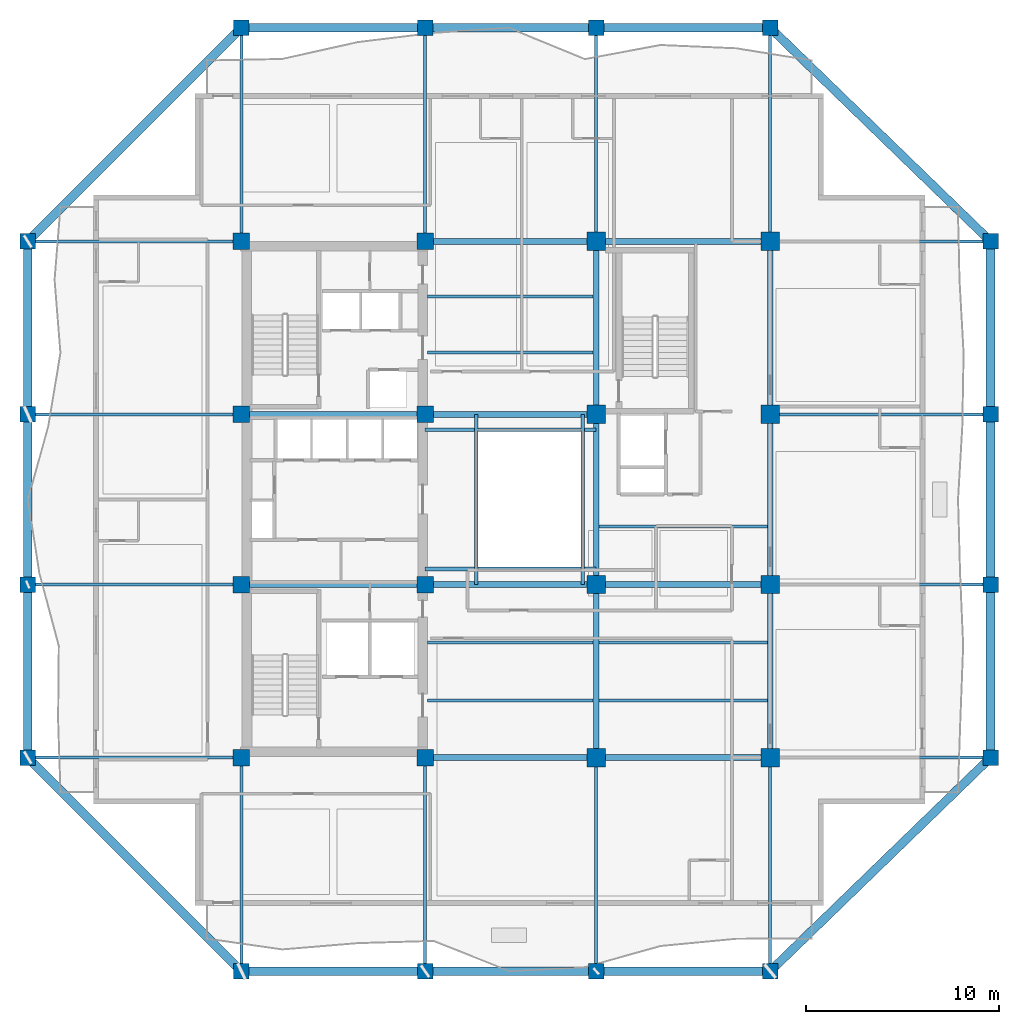
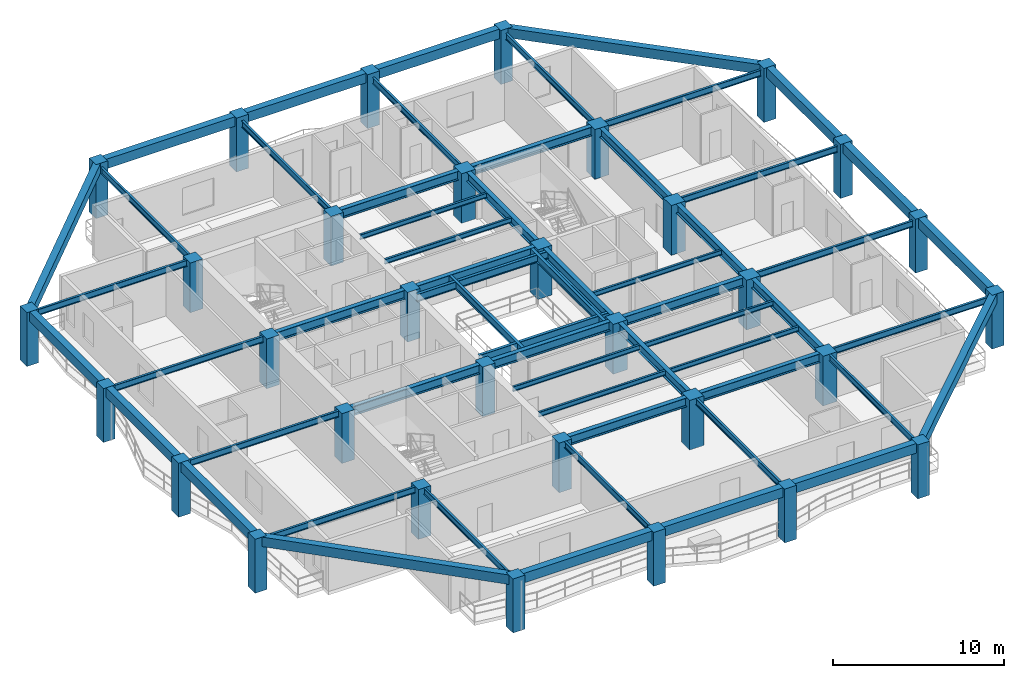
# One storey, part 1 of 12: 58 beams, 32 columns.
"""IFC4 building model written with IfcOpenShell, lengths in metres."""

from ifc_helpers import new_model, si_unit, direction, frame, origin, origin_2d, place, context, subcontext, project, spatial, rectangle, i_section, extrude, material, material_profile, profile_set, type_object, element, save


model = new_model("IFC4")

# Units and contexts
model_context = context("Model", 3, precision=1e-05, world=origin(), true_north=direction((0.0, 1.0)))
body_context = subcontext(model_context, "Body", "Model", "MODEL_VIEW")
ifc_project = project(units=[si_unit("LENGTHUNIT", "METRE"), si_unit("AREAUNIT", "SQUARE_METRE"), si_unit("VOLUMEUNIT", "CUBIC_METRE"), si_unit("PLANEANGLEUNIT", "RADIAN"), si_unit("MASSUNIT", "GRAM", prefix="KILO")], contexts=[model_context])

# Site, building, storey
site_placement = place(None, origin())
site = spatial("IfcSite", under=ifc_project, at=site_placement, CompositionType="ELEMENT")
building_placement = place(site_placement, origin())
building = spatial("IfcBuilding", under=site, at=building_placement, Name="Kundavana Baori Tower", CompositionType="ELEMENT")
storey_placement = place(building_placement, frame((0.0, 0.0, 200.25)))
storey = spatial("IfcBuildingStorey", under=building, at=storey_placement, Name="L49", CompositionType="ELEMENT", Elevation=200.25)

# Columns
ifc_material_1 = material(Name="Concrete C50/60", Category="concrete")
ifc_material_profile_1 = material_profile(ifc_material_1, rectangle(XDim=0.800048828125, YDim=0.800048828125, at=origin_2d()), Name="RC PF 800x800")
ifc_profile_set_1 = profile_set([ifc_material_profile_1], Name="Concrete C50/60")
column_type_1 = type_object("IfcColumnType", Name="COL-PF-800", PredefinedType="COLUMN", material=ifc_profile_set_1)
for number, where, z_axis, x_axis, name in (
    (1, (15.449951171875, 4.199951171875, 0.0), (0.0, 0.0, 1.0), (1.0, 0.0, 0.0), "L49 Stone-Clad Perimeter Frame Column PF-S1"),
    (2, (15.449951171875, 53.0, 0.0), (0.0, 0.0, 1.0), (1.0, 0.0, 0.0), "L49 Stone-Clad Perimeter Frame Column PF-N1"),
    (3, (24.949951171875, 4.199951171875, 0.0), (0.0, 0.0, 1.0), (1.0, 0.0, 0.0), "L49 Stone-Clad Perimeter Frame Column PF-S2"),
    (4, (24.949951171875, 53.0, 0.0), (0.0, 0.0, 1.0), (1.0, 0.0, 0.0), "L49 Stone-Clad Perimeter Frame Column PF-N2"),
    (5, (33.800048828125, 4.199951171875, 0.0), (0.0, 0.0, 1.0), (1.0, 0.0, 0.0), "L49 Stone-Clad Perimeter Frame Column PF-S3"),
    (6, (33.800048828125, 53.0, 0.0), (0.0, 0.0, 1.0), (1.0, 0.0, 0.0), "L49 Stone-Clad Perimeter Frame Column PF-N3"),
    (7, (42.800048828125, 4.199951171875, 0.0), (0.0, 0.0, 1.0), (1.0, 0.0, 0.0), "L49 Stone-Clad Perimeter Frame Column PF-S4"),
    (8, (42.800048828125, 53.0, 0.0), (0.0, 0.0, 1.0), (1.0, 0.0, 0.0), "L49 Stone-Clad Perimeter Frame Column PF-N4"),
    (9, (4.39990234375, 15.25, 0.0), (0.0, 0.0, 1.0), (1.0, 0.0, 0.0), "L49 Stone-Clad Perimeter Frame Column PF-W1"),
    (10, (54.199951171875, 15.25, 0.0), (0.0, 0.0, 1.0), (1.0, 0.0, 0.0), "L49 Stone-Clad Perimeter Frame Column PF-E1"),
    (11, (4.39990234375, 24.199951171875, 0.0), (0.0, 0.0, 1.0), (1.0, 0.0, 0.0), "L49 Stone-Clad Perimeter Frame Column PF-W2"),
    (12, (54.199951171875, 24.199951171875, 0.0), (0.0, 0.0, 1.0), (1.0, 0.0, 0.0), "L49 Stone-Clad Perimeter Frame Column PF-E2"),
    (13, (4.39990234375, 33.0, 0.0), (0.0, 0.0, 1.0), (1.0, 0.0, 0.0), "L49 Stone-Clad Perimeter Frame Column PF-W3"),
    (14, (54.199951171875, 33.0, 0.0), (0.0, 0.0, 1.0), (1.0, 0.0, 0.0), "L49 Stone-Clad Perimeter Frame Column PF-E3"),
    (15, (4.39990234375, 41.949951171875, 0.0), (0.0, 0.0, 1.0), (1.0, 0.0, 0.0), "L49 Stone-Clad Perimeter Frame Column PF-W4"),
    (16, (54.199951171875, 41.949951171875, 0.0), (0.0, 0.0, 1.0), (1.0, 0.0, 0.0), "L49 Stone-Clad Perimeter Frame Column PF-E4"),
):
    element("IfcColumn", number, at=place(storey_placement, frame(where, z_axis=z_axis, x_axis=x_axis)), inside=storey, type_object=column_type_1, Name=name, PredefinedType="COLUMN", context=body_context, shape_type="SweptSolid", body=[
        extrude(rectangle(XDim=0.800048828125, YDim=0.800048828125, at=origin_2d()), origin(), (0.0, 0.0, 1.0), 3.85009765625),
    ])
ifc_material_2 = material(Name="Concrete C50/60", Category="concrete")
ifc_material_profile_2 = material_profile(ifc_material_2, rectangle(XDim=0.85009765625, YDim=0.85009765625, at=origin_2d()), Name="RC 850x850")
ifc_profile_set_2 = profile_set([ifc_material_profile_2], Name="Concrete C50/60")
column_type_2 = type_object("IfcColumnType", Name="COL-RC-850", PredefinedType="COLUMN", material=ifc_profile_set_2)
for number, where, z_axis, x_axis, name in (
    (17, (15.449951171875, 15.25, 0.0), (0.0, 0.0, 1.0), (1.0, 0.0, 0.0), "L49 Interior Column IC-3C"),
    (18, (15.449951171875, 24.199951171875, 0.0), (0.0, 0.0, 1.0), (1.0, 0.0, 0.0), "L49 Interior Column IC-3D"),
    (19, (15.449951171875, 33.0, 0.0), (0.0, 0.0, 1.0), (1.0, 0.0, 0.0), "L49 Interior Column IC-3E"),
    (20, (15.449951171875, 41.949951171875, 0.0), (0.0, 0.0, 1.0), (1.0, 0.0, 0.0), "L49 Interior Column IC-3F"),
    (21, (24.949951171875, 15.25, 0.0), (0.0, 0.0, 1.0), (1.0, 0.0, 0.0), "L49 Interior Column IC-4C"),
    (22, (24.949951171875, 24.199951171875, 0.0), (0.0, 0.0, 1.0), (1.0, 0.0, 0.0), "L49 Interior Column IC-4D"),
    (23, (24.949951171875, 33.0, 0.0), (0.0, 0.0, 1.0), (1.0, 0.0, 0.0), "L49 Interior Column IC-4E"),
    (24, (24.949951171875, 41.949951171875, 0.0), (0.0, 0.0, 1.0), (1.0, 0.0, 0.0), "L49 Interior Column IC-4F"),
):
    element("IfcColumn", number, at=place(storey_placement, frame(where, z_axis=z_axis, x_axis=x_axis)), inside=storey, type_object=column_type_2, Name=name, PredefinedType="COLUMN", context=body_context, shape_type="SweptSolid", body=[
        extrude(rectangle(XDim=0.85009765625, YDim=0.85009765625, at=origin_2d()), origin(), (0.0, 0.0, 1.0), 3.550048828125),
    ])
ifc_material_3 = material(Name="Concrete C50/60", Category="concrete")
ifc_material_profile_3 = material_profile(ifc_material_3, rectangle(XDim=0.949951171875, YDim=0.949951171875, at=origin_2d()), Name="RC 950x950")
ifc_profile_set_3 = profile_set([ifc_material_profile_3], Name="Concrete C50/60")
column_type_3 = type_object("IfcColumnType", Name="COL-RC-950", PredefinedType="COLUMN", material=ifc_profile_set_3)
for number, where, z_axis, x_axis, name in (
    (25, (33.800048828125, 15.25, 0.0), (0.0, 0.0, 1.0), (1.0, 0.0, 0.0), "L49 Interior Column IC-5C"),
    (26, (33.800048828125, 24.199951171875, 0.0), (0.0, 0.0, 1.0), (1.0, 0.0, 0.0), "L49 Interior Column IC-5D"),
    (27, (33.800048828125, 33.0, 0.0), (0.0, 0.0, 1.0), (1.0, 0.0, 0.0), "L49 Interior Column IC-5E"),
    (28, (33.800048828125, 41.949951171875, 0.0), (0.0, 0.0, 1.0), (1.0, 0.0, 0.0), "L49 Interior Column IC-5F"),
    (29, (42.800048828125, 15.25, 0.0), (0.0, 0.0, 1.0), (1.0, 0.0, 0.0), "L49 Interior Column IC-6C"),
    (30, (42.800048828125, 24.199951171875, 0.0), (0.0, 0.0, 1.0), (1.0, 0.0, 0.0), "L49 Interior Column IC-6D"),
    (31, (42.800048828125, 33.0, 0.0), (0.0, 0.0, 1.0), (1.0, 0.0, 0.0), "L49 Interior Column IC-6E"),
    (32, (42.800048828125, 41.949951171875, 0.0), (0.0, 0.0, 1.0), (1.0, 0.0, 0.0), "L49 Interior Column IC-6F"),
):
    element("IfcColumn", number, at=place(storey_placement, frame(where, z_axis=z_axis, x_axis=x_axis)), inside=storey, type_object=column_type_3, Name=name, PredefinedType="COLUMN", context=body_context, shape_type="SweptSolid", body=[
        extrude(rectangle(XDim=0.949951171875, YDim=0.949951171875, at=origin_2d()), origin(), (0.0, 0.0, 1.0), 3.550048828125),
    ])

# Beams
ifc_material_4 = material(Name="Structural Steel S355JR", Category="steel")
ifc_material_profile_4 = material_profile(ifc_material_4, i_section(OverallWidth=0.139892578125, OverallDepth=0.35009765625, WebThickness=0.008056640625, FlangeThickness=0.01416015625, FilletRadius=0.013916015625, at=origin_2d()), Name="ISMB 350")
ifc_profile_set_4 = profile_set([ifc_material_profile_4], Name="Structural Steel S355JR")
beam_type_1 = type_object("IfcBeamType", Name="BM-JST-350", PredefinedType="JOIST", material=ifc_profile_set_4)
for number, where, z_axis, x_axis, name in (
    (33, (25.080078125, 18.199951171875, 3.375), (1.0, 0.0, 0.0), (0.0, 1.0, 0.0), "L49 Central Bay Composite Floor Joist C1"),
    (34, (25.080078125, 21.199951171875, 3.375), (1.0, 0.0, 0.0), (0.0, 1.0, 0.0), "L49 Central Bay Composite Floor Joist C2"),
    (35, (25.080078125, 36.199951171875, 3.375), (1.0, 0.0, 0.0), (0.0, 1.0, 0.0), "L49 Central Bay Composite Floor Joist C3"),
    (36, (25.080078125, 39.10009765625, 3.375), (1.0, 0.0, 0.0), (0.0, 1.0, 0.0), "L49 Central Bay Composite Floor Joist C4"),
):
    element("IfcBeam", number, at=place(storey_placement, frame(where, z_axis=z_axis, x_axis=x_axis)), inside=storey, type_object=beam_type_1, Name=name, PredefinedType="JOIST", context=body_context, shape_type="SweptSolid", body=[
        extrude(i_section(OverallWidth=0.139892578125, OverallDepth=0.35009765625, WebThickness=0.008056640625, FlangeThickness=0.01416015625, FilletRadius=0.013916015625, at=origin_2d()), origin(), (0.0, 0.0, 1.0), 8.56982421875),
    ])
for number, where, z_axis, x_axis, name in (
    (37, (33.949951171875, 18.199951171875, 3.375), (1.0, 0.0, 0.0), (0.0, 1.0, 0.0), "L49 East Bay Composite Floor Joist E1"),
    (38, (33.949951171875, 21.199951171875, 3.375), (1.0, 0.0, 0.0), (0.0, 1.0, 0.0), "L49 East Bay Composite Floor Joist E2"),
    (39, (33.949951171875, 27.199951171875, 3.375), (1.0, 0.0, 0.0), (0.0, 1.0, 0.0), "L49 East Bay Composite Floor Joist E3"),
):
    element("IfcBeam", number, at=place(storey_placement, frame(where, z_axis=z_axis, x_axis=x_axis)), inside=storey, type_object=beam_type_1, Name=name, PredefinedType="JOIST", context=body_context, shape_type="SweptSolid", body=[
        extrude(i_section(OverallWidth=0.139892578125, OverallDepth=0.35009765625, WebThickness=0.008056640625, FlangeThickness=0.01416015625, FilletRadius=0.013916015625, at=origin_2d()), origin(), (0.0, 0.0, 1.0), 8.699951171875),
    ])
ifc_material_5 = material(Name="Concrete C50/60", Category="concrete")
ifc_material_profile_5 = material_profile(ifc_material_5, rectangle(XDim=0.449951171875, YDim=0.679931640625, at=origin_2d()), Name="RC BM 450x680")
ifc_profile_set_5 = profile_set([ifc_material_profile_5], Name="Concrete C50/60")
beam_type_2 = type_object("IfcBeamType", Name="BM-PF-680", PredefinedType="SPANDREL", material=ifc_profile_set_5)
beam_1_placement = place(storey_placement, frame((15.449951171875, 4.199951171875, 3.510009765625), z_axis=(1.0, 0.0, 0.0), x_axis=(0.0, 1.0, 0.0)))
element("IfcBeam", 40, at=beam_1_placement, inside=storey, type_object=beam_type_2, Name="L49 Perimeter Frame Ring Beam S1", PredefinedType="SPANDREL", context=body_context, shape_type="SweptSolid", body=[
    extrude(rectangle(XDim=0.449951171875, YDim=0.679931640625, at=origin_2d()), origin(), (0.0, 0.0, 1.0), 9.5),
])
beam_2_placement = place(storey_placement, frame((24.949951171875, 4.199951171875, 3.510009765625), z_axis=(1.0, 0.0, 0.0), x_axis=(0.0, 1.0, 0.0)))
element("IfcBeam", 41, at=beam_2_placement, inside=storey, type_object=beam_type_2, Name="L49 Perimeter Frame Ring Beam S2", PredefinedType="SPANDREL", context=body_context, shape_type="SweptSolid", body=[
    extrude(rectangle(XDim=0.449951171875, YDim=0.679931640625, at=origin_2d()), origin(), (0.0, 0.0, 1.0), 8.85009765625),
])
beam_3_placement = place(storey_placement, frame((33.800048828125, 4.199951171875, 3.510009765625), z_axis=(1.0, 0.0, 0.0), x_axis=(0.0, 1.0, 0.0)))
element("IfcBeam", 42, at=beam_3_placement, inside=storey, type_object=beam_type_2, Name="L49 Perimeter Frame Ring Beam S3", PredefinedType="SPANDREL", context=body_context, shape_type="SweptSolid", body=[
    extrude(rectangle(XDim=0.449951171875, YDim=0.679931640625, at=origin_2d()), origin(), (0.0, 0.0, 1.0), 9.0),
])
beam_4_placement = place(storey_placement, frame((15.449951171875, 53.0, 3.510009765625), z_axis=(1.0, 0.0, 0.0), x_axis=(0.0, 1.0, 0.0)))
element("IfcBeam", 43, at=beam_4_placement, inside=storey, type_object=beam_type_2, Name="L49 Perimeter Frame Ring Beam N1", PredefinedType="SPANDREL", context=body_context, shape_type="SweptSolid", body=[
    extrude(rectangle(XDim=0.449951171875, YDim=0.679931640625, at=origin_2d()), origin(), (0.0, 0.0, 1.0), 9.5),
])
beam_5_placement = place(storey_placement, frame((24.949951171875, 53.0, 3.510009765625), z_axis=(1.0, 0.0, 0.0), x_axis=(0.0, 1.0, 0.0)))
element("IfcBeam", 44, at=beam_5_placement, inside=storey, type_object=beam_type_2, Name="L49 Perimeter Frame Ring Beam N2", PredefinedType="SPANDREL", context=body_context, shape_type="SweptSolid", body=[
    extrude(rectangle(XDim=0.449951171875, YDim=0.679931640625, at=origin_2d()), origin(), (0.0, 0.0, 1.0), 8.85009765625),
])
beam_6_placement = place(storey_placement, frame((33.800048828125, 53.0, 3.510009765625), z_axis=(1.0, 0.0, 0.0), x_axis=(0.0, 1.0, 0.0)))
element("IfcBeam", 45, at=beam_6_placement, inside=storey, type_object=beam_type_2, Name="L49 Perimeter Frame Ring Beam N3", PredefinedType="SPANDREL", context=body_context, shape_type="SweptSolid", body=[
    extrude(rectangle(XDim=0.449951171875, YDim=0.679931640625, at=origin_2d()), origin(), (0.0, 0.0, 1.0), 9.0),
])
beam_7_placement = place(storey_placement, frame((4.39990234375, 15.25, 3.510009765625), z_axis=(0.0, 1.0, 0.0), x_axis=(-1.0, 0.0, 0.0)))
element("IfcBeam", 46, at=beam_7_placement, inside=storey, type_object=beam_type_2, Name="L49 Perimeter Frame Ring Beam W1", PredefinedType="SPANDREL", context=body_context, shape_type="SweptSolid", body=[
    extrude(rectangle(XDim=0.449951171875, YDim=0.679931640625, at=origin_2d()), origin(), (0.0, 0.0, 1.0), 8.949951171875),
])
beam_8_placement = place(storey_placement, frame((4.39990234375, 24.199951171875, 3.510009765625), z_axis=(0.0, 1.0, 0.0), x_axis=(-1.0, 0.0, 0.0)))
element("IfcBeam", 47, at=beam_8_placement, inside=storey, type_object=beam_type_2, Name="L49 Perimeter Frame Ring Beam W2", PredefinedType="SPANDREL", context=body_context, shape_type="SweptSolid", body=[
    extrude(rectangle(XDim=0.449951171875, YDim=0.679931640625, at=origin_2d()), origin(), (0.0, 0.0, 1.0), 8.800048828125),
])
for number, where, z_axis, x_axis, name in (
    (48, (4.39990234375, 33.0, 3.510009765625), (0.0, 1.0, 0.0), (-1.0, 0.0, 0.0), "L49 Perimeter Frame Ring Beam W3"),
    (49, (54.199951171875, 15.25, 3.510009765625), (0.0, 1.0, 0.0), (-1.0, 0.0, 0.0), "L49 Perimeter Frame Ring Beam E1"),
):
    element("IfcBeam", number, at=place(storey_placement, frame(where, z_axis=z_axis, x_axis=x_axis)), inside=storey, type_object=beam_type_2, Name=name, PredefinedType="SPANDREL", context=body_context, shape_type="SweptSolid", body=[
        extrude(rectangle(XDim=0.449951171875, YDim=0.679931640625, at=origin_2d()), origin(), (0.0, 0.0, 1.0), 8.949951171875),
    ])
beam_9_placement = place(storey_placement, frame((54.199951171875, 24.199951171875, 3.510009765625), z_axis=(0.0, 1.0, 0.0), x_axis=(-1.0, 0.0, 0.0)))
element("IfcBeam", 50, at=beam_9_placement, inside=storey, type_object=beam_type_2, Name="L49 Perimeter Frame Ring Beam E2", PredefinedType="SPANDREL", context=body_context, shape_type="SweptSolid", body=[
    extrude(rectangle(XDim=0.449951171875, YDim=0.679931640625, at=origin_2d()), origin(), (0.0, 0.0, 1.0), 8.800048828125),
])
beam_10_placement = place(storey_placement, frame((54.199951171875, 33.0, 3.510009765625), z_axis=(0.0, 1.0, 0.0), x_axis=(-1.0, 0.0, 0.0)))
element("IfcBeam", 51, at=beam_10_placement, inside=storey, type_object=beam_type_2, Name="L49 Perimeter Frame Ring Beam E3", PredefinedType="SPANDREL", context=body_context, shape_type="SweptSolid", body=[
    extrude(rectangle(XDim=0.449951171875, YDim=0.679931640625, at=origin_2d()), origin(), (0.0, 0.0, 1.0), 8.949951171875),
])
beam_11_placement = place(storey_placement, frame((15.449951171875, 4.199951171875, 3.510009765625), z_axis=(-0.707106781187, 0.707106781187, 0.0), x_axis=(-0.707106781187, -0.707106781187, 0.0)))
element("IfcBeam", 52, at=beam_11_placement, inside=storey, type_object=beam_type_2, Name="L49 Notched Corner Perimeter Beam SW", PredefinedType="SPANDREL", context=body_context, shape_type="SweptSolid", body=[
    extrude(rectangle(XDim=0.449951171875, YDim=0.679931640625, at=origin_2d()), origin(), (0.0, 0.0, 1.0), 15.627197265625),
])
beam_12_placement = place(storey_placement, frame((42.800048828125, 4.199951171875, 3.510009765625), z_axis=(0.718038944492, 0.696002926857, 0.0), x_axis=(-0.696002926857, 0.718038944492, 0.0)))
element("IfcBeam", 53, at=beam_12_placement, inside=storey, type_object=beam_type_2, Name="L49 Notched Corner Perimeter Beam SE", PredefinedType="SPANDREL", context=body_context, shape_type="SweptSolid", body=[
    extrude(rectangle(XDim=0.449951171875, YDim=0.679931640625, at=origin_2d()), origin(), (0.0, 0.0, 1.0), 15.87646484375),
])
beam_13_placement = place(storey_placement, frame((15.449951171875, 53.0, 3.510009765625), z_axis=(-0.707106781187, -0.707106781187, 0.0), x_axis=(0.707106781187, -0.707106781187, 0.0)))
element("IfcBeam", 54, at=beam_13_placement, inside=storey, type_object=beam_type_2, Name="L49 Notched Corner Perimeter Beam NW", PredefinedType="SPANDREL", context=body_context, shape_type="SweptSolid", body=[
    extrude(rectangle(XDim=0.449951171875, YDim=0.679931640625, at=origin_2d()), origin(), (0.0, 0.0, 1.0), 15.627197265625),
])
beam_14_placement = place(storey_placement, frame((42.800048828125, 53.0, 3.510009765625), z_axis=(0.718038944492, -0.696002926857, 0.0), x_axis=(0.696002926857, 0.718038944492, 0.0)))
element("IfcBeam", 55, at=beam_14_placement, inside=storey, type_object=beam_type_2, Name="L49 Notched Corner Perimeter Beam NE", PredefinedType="SPANDREL", context=body_context, shape_type="SweptSolid", body=[
    extrude(rectangle(XDim=0.449951171875, YDim=0.679931640625, at=origin_2d()), origin(), (0.0, 0.0, 1.0), 15.87646484375),
])
ifc_material_6 = material(Name="Structural Steel S355JR", Category="steel")
ifc_material_profile_6 = material_profile(ifc_material_6, i_section(OverallWidth=0.18994140625, OverallDepth=0.550048828125, WebThickness=0.01123046875, FlangeThickness=0.019287109375, FilletRadius=0.01806640625, at=origin_2d()), Name="ISMB 550")
ifc_profile_set_6 = profile_set([ifc_material_profile_6], Name="Structural Steel S355JR")
beam_type_3 = type_object("IfcBeamType", Name="BM-ST-550", PredefinedType="BEAM", material=ifc_profile_set_6)
for number, where, z_axis, x_axis, name in (
    (56, (27.60009765625, 24.199951171875, 3.27490234375), (0.0, 1.0, 0.0), (-1.0, 0.0, 0.0), "L49 Atrium West Edge Beam"),
    (57, (33.10009765625, 24.199951171875, 3.27490234375), (0.0, 1.0, 0.0), (-1.0, 0.0, 0.0), "L49 Atrium East Edge Beam"),
):
    element("IfcBeam", number, at=place(storey_placement, frame(where, z_axis=z_axis, x_axis=x_axis)), inside=storey, type_object=beam_type_3, Name=name, PredefinedType="BEAM", context=body_context, shape_type="SweptSolid", body=[
        extrude(i_section(OverallWidth=0.18994140625, OverallDepth=0.550048828125, WebThickness=0.01123046875, FlangeThickness=0.019287109375, FilletRadius=0.01806640625, at=origin_2d()), origin(), (0.0, 0.0, 1.0), 8.800048828125),
    ])
for number, where, z_axis, x_axis, name in (
    (58, (24.949951171875, 25.0, 3.27490234375), (1.0, 0.0, 0.0), (0.0, 1.0, 0.0), "L49 Atrium South Edge Beam"),
    (59, (24.949951171875, 32.199951171875, 3.27490234375), (1.0, 0.0, 0.0), (0.0, 1.0, 0.0), "L49 Atrium North Edge Beam"),
):
    element("IfcBeam", number, at=place(storey_placement, frame(where, z_axis=z_axis, x_axis=x_axis)), inside=storey, type_object=beam_type_3, Name=name, PredefinedType="BEAM", context=body_context, shape_type="SweptSolid", body=[
        extrude(i_section(OverallWidth=0.18994140625, OverallDepth=0.550048828125, WebThickness=0.01123046875, FlangeThickness=0.019287109375, FilletRadius=0.01806640625, at=origin_2d()), origin(), (0.0, 0.0, 1.0), 8.85009765625),
    ])
ifc_material_7 = material(Name="Structural Steel S355JR", Category="steel")
ifc_material_profile_7 = material_profile(ifc_material_7, i_section(OverallWidth=0.300048828125, OverallDepth=0.64990234375, WebThickness=0.013427734375, FlangeThickness=0.02197265625, FilletRadius=0.02392578125, at=origin_2d()), Name="NPB 650x300x155")
ifc_profile_set_7 = profile_set([ifc_material_profile_7], Name="Structural Steel S355JR")
beam_type_4 = type_object("IfcBeamType", Name="BM-ST-650", PredefinedType="BEAM", material=ifc_profile_set_7)
beam_15_placement = place(storey_placement, frame((24.949951171875, 15.25, 3.22509765625), z_axis=(1.0, 0.0, 0.0), x_axis=(0.0, 1.0, 0.0)))
element("IfcBeam", 60, at=beam_15_placement, inside=storey, type_object=beam_type_4, Name="L49 Primary Grid Girder GX-1-2", PredefinedType="BEAM", context=body_context, shape_type="SweptSolid", body=[
    extrude(i_section(OverallWidth=0.300048828125, OverallDepth=0.64990234375, WebThickness=0.013427734375, FlangeThickness=0.02197265625, FilletRadius=0.02392578125, at=origin_2d()), origin(), (0.0, 0.0, 1.0), 8.85009765625),
])
beam_16_placement = place(storey_placement, frame((33.800048828125, 15.25, 3.22509765625), z_axis=(1.0, 0.0, 0.0), x_axis=(0.0, 1.0, 0.0)))
element("IfcBeam", 61, at=beam_16_placement, inside=storey, type_object=beam_type_4, Name="L49 Primary Grid Girder GX-1-3", PredefinedType="BEAM", context=body_context, shape_type="SweptSolid", body=[
    extrude(i_section(OverallWidth=0.300048828125, OverallDepth=0.64990234375, WebThickness=0.013427734375, FlangeThickness=0.02197265625, FilletRadius=0.02392578125, at=origin_2d()), origin(), (0.0, 0.0, 1.0), 9.0),
])
beam_17_placement = place(storey_placement, frame((15.449951171875, 24.199951171875, 3.22509765625), z_axis=(1.0, 0.0, 0.0), x_axis=(0.0, 1.0, 0.0)))
element("IfcBeam", 62, at=beam_17_placement, inside=storey, type_object=beam_type_4, Name="L49 Primary Grid Girder GX-2-1", PredefinedType="BEAM", context=body_context, shape_type="SweptSolid", body=[
    extrude(i_section(OverallWidth=0.300048828125, OverallDepth=0.64990234375, WebThickness=0.013427734375, FlangeThickness=0.02197265625, FilletRadius=0.02392578125, at=origin_2d()), origin(), (0.0, 0.0, 1.0), 9.5),
])
beam_18_placement = place(storey_placement, frame((24.949951171875, 24.199951171875, 3.22509765625), z_axis=(1.0, 0.0, 0.0), x_axis=(0.0, 1.0, 0.0)))
element("IfcBeam", 63, at=beam_18_placement, inside=storey, type_object=beam_type_4, Name="L49 Primary Grid Girder GX-2-2", PredefinedType="BEAM", context=body_context, shape_type="SweptSolid", body=[
    extrude(i_section(OverallWidth=0.300048828125, OverallDepth=0.64990234375, WebThickness=0.013427734375, FlangeThickness=0.02197265625, FilletRadius=0.02392578125, at=origin_2d()), origin(), (0.0, 0.0, 1.0), 8.85009765625),
])
beam_19_placement = place(storey_placement, frame((33.800048828125, 24.199951171875, 3.22509765625), z_axis=(1.0, 0.0, 0.0), x_axis=(0.0, 1.0, 0.0)))
element("IfcBeam", 64, at=beam_19_placement, inside=storey, type_object=beam_type_4, Name="L49 Primary Grid Girder GX-2-3", PredefinedType="BEAM", context=body_context, shape_type="SweptSolid", body=[
    extrude(i_section(OverallWidth=0.300048828125, OverallDepth=0.64990234375, WebThickness=0.013427734375, FlangeThickness=0.02197265625, FilletRadius=0.02392578125, at=origin_2d()), origin(), (0.0, 0.0, 1.0), 9.0),
])
beam_20_placement = place(storey_placement, frame((15.449951171875, 33.0, 3.22509765625), z_axis=(1.0, 0.0, 0.0), x_axis=(0.0, 1.0, 0.0)))
element("IfcBeam", 65, at=beam_20_placement, inside=storey, type_object=beam_type_4, Name="L49 Primary Grid Girder GX-3-1", PredefinedType="BEAM", context=body_context, shape_type="SweptSolid", body=[
    extrude(i_section(OverallWidth=0.300048828125, OverallDepth=0.64990234375, WebThickness=0.013427734375, FlangeThickness=0.02197265625, FilletRadius=0.02392578125, at=origin_2d()), origin(), (0.0, 0.0, 1.0), 9.5),
])
for number, where, z_axis, x_axis, name in (
    (66, (24.949951171875, 33.0, 3.22509765625), (1.0, 0.0, 0.0), (0.0, 1.0, 0.0), "L49 Primary Grid Girder GX-3-2"),
    (67, (24.949951171875, 41.949951171875, 3.22509765625), (1.0, 0.0, 0.0), (0.0, 1.0, 0.0), "L49 Primary Grid Girder GX-4-2"),
):
    element("IfcBeam", number, at=place(storey_placement, frame(where, z_axis=z_axis, x_axis=x_axis)), inside=storey, type_object=beam_type_4, Name=name, PredefinedType="BEAM", context=body_context, shape_type="SweptSolid", body=[
        extrude(i_section(OverallWidth=0.300048828125, OverallDepth=0.64990234375, WebThickness=0.013427734375, FlangeThickness=0.02197265625, FilletRadius=0.02392578125, at=origin_2d()), origin(), (0.0, 0.0, 1.0), 8.85009765625),
    ])
beam_21_placement = place(storey_placement, frame((33.800048828125, 41.949951171875, 3.22509765625), z_axis=(1.0, 0.0, 0.0), x_axis=(0.0, 1.0, 0.0)))
element("IfcBeam", 68, at=beam_21_placement, inside=storey, type_object=beam_type_4, Name="L49 Primary Grid Girder GX-4-3", PredefinedType="BEAM", context=body_context, shape_type="SweptSolid", body=[
    extrude(i_section(OverallWidth=0.300048828125, OverallDepth=0.64990234375, WebThickness=0.013427734375, FlangeThickness=0.02197265625, FilletRadius=0.02392578125, at=origin_2d()), origin(), (0.0, 0.0, 1.0), 9.0),
])
beam_22_placement = place(storey_placement, frame((33.800048828125, 15.25, 3.22509765625), z_axis=(0.0, 1.0, 0.0), x_axis=(-1.0, 0.0, 0.0)))
element("IfcBeam", 69, at=beam_22_placement, inside=storey, type_object=beam_type_4, Name="L49 Primary Grid Girder GY-3-1", PredefinedType="BEAM", context=body_context, shape_type="SweptSolid", body=[
    extrude(i_section(OverallWidth=0.300048828125, OverallDepth=0.64990234375, WebThickness=0.013427734375, FlangeThickness=0.02197265625, FilletRadius=0.02392578125, at=origin_2d()), origin(), (0.0, 0.0, 1.0), 8.949951171875),
])
beam_23_placement = place(storey_placement, frame((33.800048828125, 24.199951171875, 3.22509765625), z_axis=(0.0, 1.0, 0.0), x_axis=(-1.0, 0.0, 0.0)))
element("IfcBeam", 70, at=beam_23_placement, inside=storey, type_object=beam_type_4, Name="L49 Primary Grid Girder GY-3-2", PredefinedType="BEAM", context=body_context, shape_type="SweptSolid", body=[
    extrude(i_section(OverallWidth=0.300048828125, OverallDepth=0.64990234375, WebThickness=0.013427734375, FlangeThickness=0.02197265625, FilletRadius=0.02392578125, at=origin_2d()), origin(), (0.0, 0.0, 1.0), 8.800048828125),
])
for number, where, z_axis, x_axis, name in (
    (71, (33.800048828125, 33.0, 3.22509765625), (0.0, 1.0, 0.0), (-1.0, 0.0, 0.0), "L49 Primary Grid Girder GY-3-3"),
    (72, (42.800048828125, 15.25, 3.22509765625), (0.0, 1.0, 0.0), (-1.0, 0.0, 0.0), "L49 Primary Grid Girder GY-4-1"),
):
    element("IfcBeam", number, at=place(storey_placement, frame(where, z_axis=z_axis, x_axis=x_axis)), inside=storey, type_object=beam_type_4, Name=name, PredefinedType="BEAM", context=body_context, shape_type="SweptSolid", body=[
        extrude(i_section(OverallWidth=0.300048828125, OverallDepth=0.64990234375, WebThickness=0.013427734375, FlangeThickness=0.02197265625, FilletRadius=0.02392578125, at=origin_2d()), origin(), (0.0, 0.0, 1.0), 8.949951171875),
    ])
beam_24_placement = place(storey_placement, frame((42.800048828125, 24.199951171875, 3.22509765625), z_axis=(0.0, 1.0, 0.0), x_axis=(-1.0, 0.0, 0.0)))
element("IfcBeam", 73, at=beam_24_placement, inside=storey, type_object=beam_type_4, Name="L49 Primary Grid Girder GY-4-2", PredefinedType="BEAM", context=body_context, shape_type="SweptSolid", body=[
    extrude(i_section(OverallWidth=0.300048828125, OverallDepth=0.64990234375, WebThickness=0.013427734375, FlangeThickness=0.02197265625, FilletRadius=0.02392578125, at=origin_2d()), origin(), (0.0, 0.0, 1.0), 8.800048828125),
])
beam_25_placement = place(storey_placement, frame((42.800048828125, 33.0, 3.22509765625), z_axis=(0.0, 1.0, 0.0), x_axis=(-1.0, 0.0, 0.0)))
element("IfcBeam", 74, at=beam_25_placement, inside=storey, type_object=beam_type_4, Name="L49 Primary Grid Girder GY-4-3", PredefinedType="BEAM", context=body_context, shape_type="SweptSolid", body=[
    extrude(i_section(OverallWidth=0.300048828125, OverallDepth=0.64990234375, WebThickness=0.013427734375, FlangeThickness=0.02197265625, FilletRadius=0.02392578125, at=origin_2d()), origin(), (0.0, 0.0, 1.0), 8.949951171875),
])
ifc_material_8 = material(Name="Structural Steel S355JR", Category="steel")
ifc_material_profile_8 = material_profile(ifc_material_8, i_section(OverallWidth=0.14990234375, OverallDepth=0.449951171875, WebThickness=0.009521484375, FlangeThickness=0.017333984375, FilletRadius=0.014892578125, at=origin_2d()), Name="ISMB 450")
ifc_profile_set_8 = profile_set([ifc_material_profile_8], Name="Structural Steel S355JR")
beam_type_5 = type_object("IfcBeamType", Name="BM-TIE-450", PredefinedType="BEAM", material=ifc_profile_set_8)
for number, where, z_axis, x_axis, name in (
    (75, (15.449951171875, 15.25, 3.324951171875), (0.0, -1.0, 0.0), (1.0, 0.0, 0.0), "L49 South Radial Loggia Tie Beam S1"),
    (76, (15.449951171875, 41.949951171875, 3.324951171875), (0.0, 1.0, 0.0), (-1.0, 0.0, 0.0), "L49 North Radial Loggia Tie Beam N1"),
    (77, (24.949951171875, 15.25, 3.324951171875), (0.0, -1.0, 0.0), (1.0, 0.0, 0.0), "L49 South Radial Loggia Tie Beam S2"),
    (78, (24.949951171875, 41.949951171875, 3.324951171875), (0.0, 1.0, 0.0), (-1.0, 0.0, 0.0), "L49 North Radial Loggia Tie Beam N2"),
    (79, (33.800048828125, 15.25, 3.324951171875), (0.0, -1.0, 0.0), (1.0, 0.0, 0.0), "L49 South Radial Loggia Tie Beam S3"),
    (80, (33.800048828125, 41.949951171875, 3.324951171875), (0.0, 1.0, 0.0), (-1.0, 0.0, 0.0), "L49 North Radial Loggia Tie Beam N3"),
    (81, (42.800048828125, 15.25, 3.324951171875), (0.0, -1.0, 0.0), (1.0, 0.0, 0.0), "L49 South Radial Loggia Tie Beam S4"),
    (82, (42.800048828125, 41.949951171875, 3.324951171875), (0.0, 1.0, 0.0), (-1.0, 0.0, 0.0), "L49 North Radial Loggia Tie Beam N4"),
    (83, (15.449951171875, 15.25, 3.324951171875), (-1.0, 0.0, 0.0), (0.0, -1.0, 0.0), "L49 West Radial Loggia Tie Beam W1"),
):
    element("IfcBeam", number, at=place(storey_placement, frame(where, z_axis=z_axis, x_axis=x_axis)), inside=storey, type_object=beam_type_5, Name=name, PredefinedType="BEAM", context=body_context, shape_type="SweptSolid", body=[
        extrude(i_section(OverallWidth=0.14990234375, OverallDepth=0.449951171875, WebThickness=0.009521484375, FlangeThickness=0.017333984375, FilletRadius=0.014892578125, at=origin_2d()), origin(), (0.0, 0.0, 1.0), 11.050048828125),
    ])
beam_26_placement = place(storey_placement, frame((42.800048828125, 15.25, 3.324951171875), z_axis=(1.0, 0.0, 0.0), x_axis=(0.0, 1.0, 0.0)))
element("IfcBeam", 84, at=beam_26_placement, inside=storey, type_object=beam_type_5, Name="L49 East Radial Loggia Tie Beam E1", PredefinedType="BEAM", context=body_context, shape_type="SweptSolid", body=[
    extrude(i_section(OverallWidth=0.14990234375, OverallDepth=0.449951171875, WebThickness=0.009521484375, FlangeThickness=0.017333984375, FilletRadius=0.014892578125, at=origin_2d()), origin(), (0.0, 0.0, 1.0), 11.39990234375),
])
beam_27_placement = place(storey_placement, frame((15.449951171875, 24.199951171875, 3.324951171875), z_axis=(-1.0, 0.0, 0.0), x_axis=(0.0, -1.0, 0.0)))
element("IfcBeam", 85, at=beam_27_placement, inside=storey, type_object=beam_type_5, Name="L49 West Radial Loggia Tie Beam W2", PredefinedType="BEAM", context=body_context, shape_type="SweptSolid", body=[
    extrude(i_section(OverallWidth=0.14990234375, OverallDepth=0.449951171875, WebThickness=0.009521484375, FlangeThickness=0.017333984375, FilletRadius=0.014892578125, at=origin_2d()), origin(), (0.0, 0.0, 1.0), 11.050048828125),
])
beam_28_placement = place(storey_placement, frame((42.800048828125, 24.199951171875, 3.324951171875), z_axis=(1.0, 0.0, 0.0), x_axis=(0.0, 1.0, 0.0)))
element("IfcBeam", 86, at=beam_28_placement, inside=storey, type_object=beam_type_5, Name="L49 East Radial Loggia Tie Beam E2", PredefinedType="BEAM", context=body_context, shape_type="SweptSolid", body=[
    extrude(i_section(OverallWidth=0.14990234375, OverallDepth=0.449951171875, WebThickness=0.009521484375, FlangeThickness=0.017333984375, FilletRadius=0.014892578125, at=origin_2d()), origin(), (0.0, 0.0, 1.0), 11.39990234375),
])
beam_29_placement = place(storey_placement, frame((15.449951171875, 33.0, 3.324951171875), z_axis=(-1.0, 0.0, 0.0), x_axis=(0.0, -1.0, 0.0)))
element("IfcBeam", 87, at=beam_29_placement, inside=storey, type_object=beam_type_5, Name="L49 West Radial Loggia Tie Beam W3", PredefinedType="BEAM", context=body_context, shape_type="SweptSolid", body=[
    extrude(i_section(OverallWidth=0.14990234375, OverallDepth=0.449951171875, WebThickness=0.009521484375, FlangeThickness=0.017333984375, FilletRadius=0.014892578125, at=origin_2d()), origin(), (0.0, 0.0, 1.0), 11.050048828125),
])
beam_30_placement = place(storey_placement, frame((42.800048828125, 33.0, 3.324951171875), z_axis=(1.0, 0.0, 0.0), x_axis=(0.0, 1.0, 0.0)))
element("IfcBeam", 88, at=beam_30_placement, inside=storey, type_object=beam_type_5, Name="L49 East Radial Loggia Tie Beam E3", PredefinedType="BEAM", context=body_context, shape_type="SweptSolid", body=[
    extrude(i_section(OverallWidth=0.14990234375, OverallDepth=0.449951171875, WebThickness=0.009521484375, FlangeThickness=0.017333984375, FilletRadius=0.014892578125, at=origin_2d()), origin(), (0.0, 0.0, 1.0), 11.39990234375),
])
beam_31_placement = place(storey_placement, frame((15.449951171875, 41.949951171875, 3.324951171875), z_axis=(-1.0, 0.0, 0.0), x_axis=(0.0, -1.0, 0.0)))
element("IfcBeam", 89, at=beam_31_placement, inside=storey, type_object=beam_type_5, Name="L49 West Radial Loggia Tie Beam W4", PredefinedType="BEAM", context=body_context, shape_type="SweptSolid", body=[
    extrude(i_section(OverallWidth=0.14990234375, OverallDepth=0.449951171875, WebThickness=0.009521484375, FlangeThickness=0.017333984375, FilletRadius=0.014892578125, at=origin_2d()), origin(), (0.0, 0.0, 1.0), 11.050048828125),
])
beam_32_placement = place(storey_placement, frame((42.800048828125, 41.949951171875, 3.324951171875), z_axis=(1.0, 0.0, 0.0), x_axis=(0.0, 1.0, 0.0)))
element("IfcBeam", 90, at=beam_32_placement, inside=storey, type_object=beam_type_5, Name="L49 East Radial Loggia Tie Beam E4", PredefinedType="BEAM", context=body_context, shape_type="SweptSolid", body=[
    extrude(i_section(OverallWidth=0.14990234375, OverallDepth=0.449951171875, WebThickness=0.009521484375, FlangeThickness=0.017333984375, FilletRadius=0.014892578125, at=origin_2d()), origin(), (0.0, 0.0, 1.0), 11.39990234375),
])

save(model, "model.ifc")
